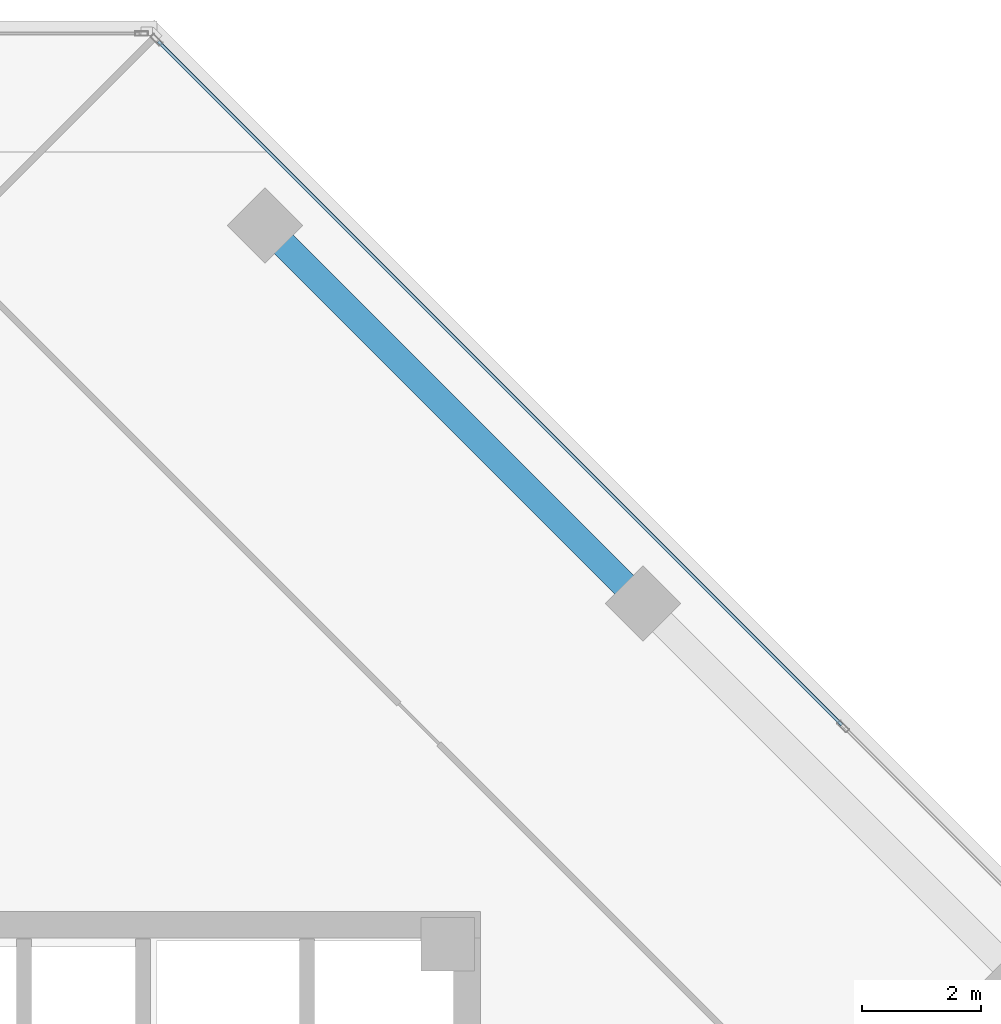
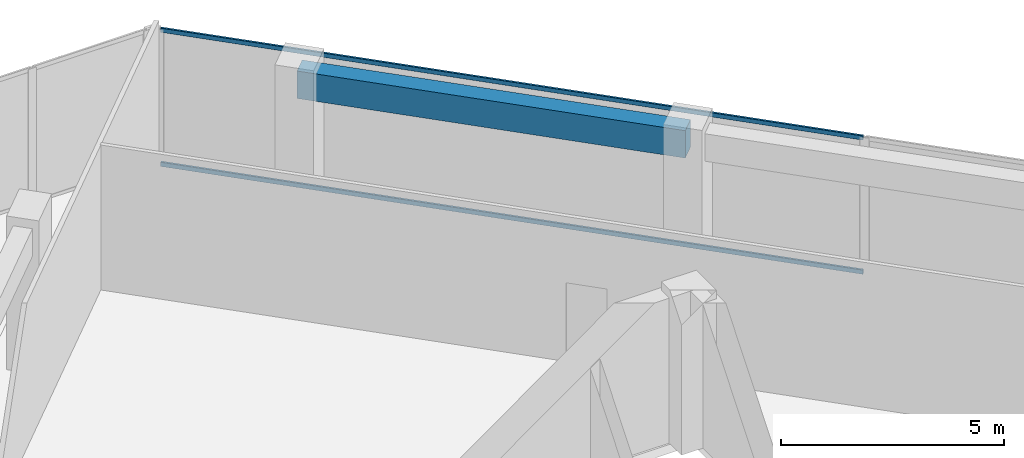
# One storey, part 10 of 18: 2 members, 1 beam, 1 element without a shape of its own.
"""IFC4 building model written with IfcOpenShell, lengths in metres."""

from ifc_helpers import new_model, si_unit, direction, frame, origin, origin_2d, place, context, subcontext, project, spatial, rectangle, hollow_rectangle, extrude, source, transform, mapped, material, material_profile, profile_set, type_object, element, aggregate, save


model = new_model("IFC4")

# Units and contexts
model_context = context("Model", 3, precision=1e-05, world=origin(), true_north=direction((0.0, 1.0)))
body_context = subcontext(model_context, "Body", "Model", "MODEL_VIEW")
ifc_project = project(units=[si_unit("LENGTHUNIT", "METRE"), si_unit("AREAUNIT", "SQUARE_METRE"), si_unit("VOLUMEUNIT", "CUBIC_METRE"), si_unit("PLANEANGLEUNIT", "RADIAN"), si_unit("MASSUNIT", "GRAM", prefix="KILO")], contexts=[model_context])

# Site, building, storey
site_placement = place(None, origin())
site = spatial("IfcSite", under=ifc_project, at=site_placement, CompositionType="ELEMENT")
building_placement = place(site_placement, origin())
building = spatial("IfcBuilding", under=site, at=building_placement, Name="Torre Montelarca", CompositionType="ELEMENT")
storey_placement = place(building_placement, frame((0.0, 0.0, 245.800048828125)))
storey = spatial("IfcBuildingStorey", under=building, at=storey_placement, Name="L55", CompositionType="ELEMENT", Elevation=245.800048828125)

# Beam
ifc_material_1 = material(Name="Concrete C55/67", Category="concrete")
ifc_material_profile_1 = material_profile(ifc_material_1, rectangle(XDim=0.449951171875, YDim=0.75, at=origin_2d()), Name="RCB450X750", Category="concrete")
ifc_profile_set_1 = profile_set([ifc_material_profile_1], Name="Concrete C55/67")
beam_type = type_object("IfcBeamType", Name="BM-SP-RC750-EXT", PredefinedType="SPANDREL", material=ifc_profile_set_1)
shared_shape_1 = source(origin(), body_context, "Body", "SweptSolid", [
    extrude(rectangle(XDim=0.449951171875, YDim=0.75, at=origin_2d()), origin(), (0.0, 0.0, 1.0), 9.0),
])
beam_placement = place(storey_placement, frame((23.373779296875, 51.551513671875, 3.5849609375), z_axis=(0.707106781187, -0.707106781187, 0.0), x_axis=(0.707106781187, 0.707106781187, 0.0)))
element("IfcBeam", 1, at=beam_placement, inside=storey, type_object=beam_type, Name="L55 Grid Girder X 9.0-18.0 at Y=47.1", PredefinedType="SPANDREL", context=body_context, shape_type="MappedRepresentation", body=[
    mapped(shared_shape_1, transform((0.0, 0.0, 0.0), scale=1.0)),
])

# Curtain wall, members
ifc_material_2 = material(Name="Insulated low-E laminated glass", Category="glass")
curtain_wall_type = type_object("IfcCurtainWallType", Name="CW-SYS-Z3", PredefinedType="USERDEFINED", material=ifc_material_2)
curtain_wall_placement = place(storey_placement, origin())
curtain_wall = element("IfcCurtainWall", 2, at=curtain_wall_placement, inside=storey, type_object=curtain_wall_type, Name="L55 Curtain Wall Run CW-T3-L55-E08-B1", ObjectType="UNITISED GLAZING", PredefinedType="USERDEFINED")
ifc_material_3 = material(Name="Anodised aluminium AA 6063-T6", Category="aluminium")
ifc_material_profile_2 = material_profile(ifc_material_3, hollow_rectangle(XDim=0.054931640625, YDim=0.1201171875, WallThickness=0.00341796875, InnerFilletRadius=0.00341796875, OuterFilletRadius=0.007080078125, at=origin_2d()), Name="ALU55X120X3.5", Category="aluminium")
ifc_profile_set_2 = profile_set([ifc_material_profile_2], Name="Anodised aluminium AA 6063-T6")
member_type = type_object("IfcMemberType", Name="CWT-ALU120", PredefinedType="USERDEFINED", material=ifc_profile_set_2)
shared_shape_2 = source(origin(), body_context, "Body", "SweptSolid", [
    extrude(hollow_rectangle(XDim=0.054931640625, YDim=0.1201171875, WallThickness=0.00341796875, InnerFilletRadius=0.00341796875, OuterFilletRadius=0.007080078125, at=origin_2d()), origin(), (0.0, 0.0, 1.0), 16.271484375),
])
member_1_placement = place(storey_placement, frame((33.084228515625, 43.142333984375, 0.02734375), z_axis=(-0.707114283208, 0.707099279086, 0.0), x_axis=(-0.707099279086, -0.707114283208, 0.0)))
member_1 = element("IfcMember", 3, at=member_1_placement, type_object=member_type, Name="CW transom 2.1", ObjectType="TRANSOM", PredefinedType="USERDEFINED", context=body_context, shape_type="MappedRepresentation", body=[
    mapped(shared_shape_2, transform((0.0, 0.0, 0.0), scale=1.0)),
])
member_2_placement = place(storey_placement, frame((33.084228515625, 43.142333984375, 3.6923828125), z_axis=(-0.707114283208, 0.707099279086, 0.0), x_axis=(-0.707099279086, -0.707114283208, 0.0)))
member_2 = element("IfcMember", 4, at=member_2_placement, type_object=member_type, Name="CW transom 2.2", ObjectType="TRANSOM", PredefinedType="USERDEFINED", context=body_context, shape_type="MappedRepresentation", body=[
    mapped(shared_shape_2, transform((0.0, 0.0, 0.0), scale=1.0)),
])
aggregate(curtain_wall, [member_1, member_2])

save(model, "model.ifc")
